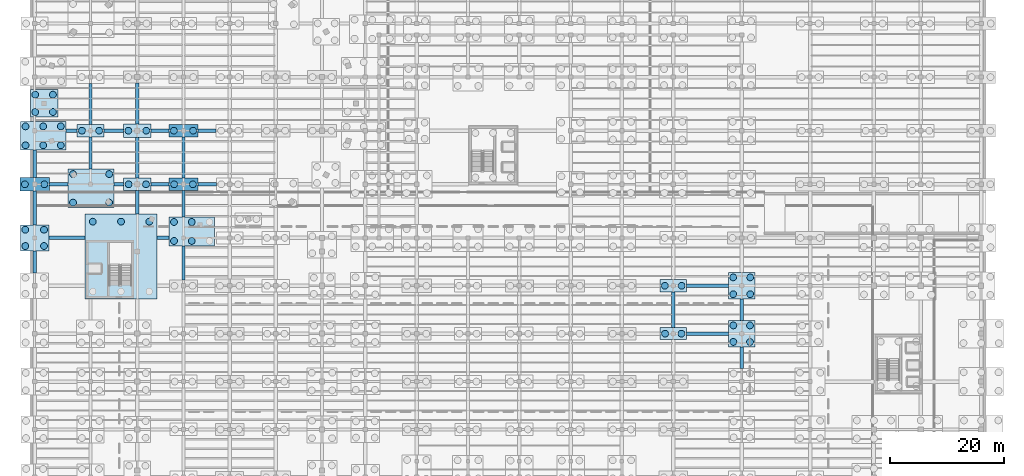
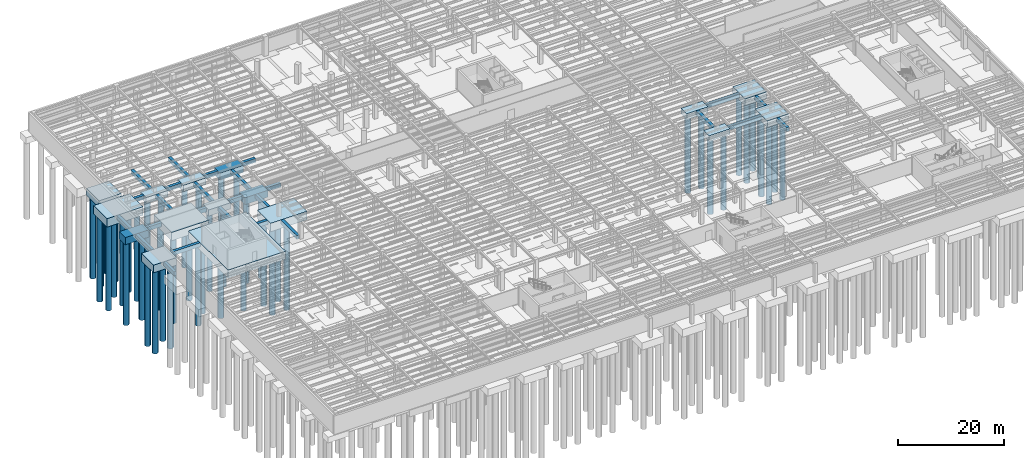
# One storey, part 8 of 49: 49 piles, 42 footings.
"""IFC4 building model written with IfcOpenShell, lengths in metres."""

from ifc_helpers import new_model, si_unit, direction, frame, origin, origin_2d, place, context, subcontext, project, spatial, rectangle, circle, extrude, material, material_profile, profile_set, type_object, element, save


model = new_model("IFC4")

# Units and contexts
model_context = context("Model", 3, precision=1e-05, world=origin(), true_north=direction((0.0, 1.0)))
body_context = subcontext(model_context, "Body", "Model", "MODEL_VIEW")
ifc_project = project(units=[si_unit("LENGTHUNIT", "METRE"), si_unit("AREAUNIT", "SQUARE_METRE"), si_unit("VOLUMEUNIT", "CUBIC_METRE"), si_unit("PLANEANGLEUNIT", "RADIAN"), si_unit("MASSUNIT", "GRAM", prefix="KILO")], contexts=[model_context])

# Site, building, storey
site_placement = place(None, origin())
site = spatial("IfcSite", under=ifc_project, at=site_placement, CompositionType="ELEMENT")
building_placement = place(site_placement, origin())
building = spatial("IfcBuilding", under=site, at=building_placement, Name="Sollismere Congress Hotel", CompositionType="ELEMENT")
storey_placement = place(building_placement, frame((0.0, 0.0, -4.5)))
storey = spatial("IfcBuildingStorey", under=building, at=storey_placement, Name="B1", CompositionType="ELEMENT", Elevation=-4.5)

# Footings
ifc_material = material(Name="Concrete C40/50", Category="concrete")
footing_type_1 = type_object("IfcFootingType", Name="FT-GB600", PredefinedType="FOOTING_BEAM", material=ifc_material)
footing_1_placement = place(storey_placement, frame((117.989990234375, 50.0, -0.89990234375), z_axis=(0.0, 0.0, 1.0), x_axis=(1.0, 0.0, 0.0)))
element("IfcFooting", 1, at=footing_1_placement, inside=storey, type_object=footing_type_1, Name="FTG-GB-096", PredefinedType="FOOTING_BEAM", context=body_context, shape_type="SweptSolid", body=[
    extrude(rectangle(XDim=7.3798828125, YDim=0.60009765625, at=origin_2d()), origin(), (0.0, 0.0, 1.0), 0.89990234375),
])
footing_2_placement = place(storey_placement, frame((117.989990234375, 58.39990234375, -0.89990234375), z_axis=(0.0, 0.0, 1.0), x_axis=(1.0, 0.0, 0.0)))
element("IfcFooting", 2, at=footing_2_placement, inside=storey, type_object=footing_type_1, Name="FTG-GB-110", PredefinedType="FOOTING_BEAM", context=body_context, shape_type="SweptSolid", body=[
    extrude(rectangle(XDim=7.320068359375, YDim=0.60009765625, at=origin_2d()), origin(), (0.0, 0.0, 1.0), 0.89990234375),
])
footing_3_placement = place(storey_placement, frame((5.675048828125, 66.800048828125, -0.89990234375), z_axis=(0.0, 0.0, 1.0), x_axis=(1.0, 0.0, 0.0)))
element("IfcFooting", 3, at=footing_3_placement, inside=storey, type_object=footing_type_1, Name="FTG-GB-115", PredefinedType="FOOTING_BEAM", context=body_context, shape_type="SweptSolid", body=[
    extrude(rectangle(XDim=6.35009765625, YDim=0.60009765625, at=origin_2d()), origin(), (0.0, 0.0, 1.0), 0.89990234375),
])
footing_4_placement = place(storey_placement, frame((22.51904296875, 66.800048828125, -0.89990234375), z_axis=(0.0, 0.0, 1.0), x_axis=(1.0, 0.0, 0.0)))
element("IfcFooting", 4, at=footing_4_placement, inside=storey, type_object=footing_type_1, Name="FTG-GB-116", PredefinedType="FOOTING_BEAM", context=body_context, shape_type="SweptSolid", body=[
    extrude(rectangle(XDim=2.141845703125, YDim=0.60009765625, at=origin_2d()), origin(), (0.0, 0.0, 1.0), 0.89990234375),
])
footing_5_placement = place(storey_placement, frame((4.2216796875, 76.199951171875, -0.89990234375), z_axis=(0.0, 0.0, 1.0), x_axis=(1.0, 0.0, 0.0)))
element("IfcFooting", 5, at=footing_5_placement, inside=storey, type_object=footing_type_1, Name="FTG-GB-131", PredefinedType="FOOTING_BEAM", context=body_context, shape_type="SweptSolid", body=[
    extrude(rectangle(XDim=3.30322265625, YDim=0.60009765625, at=origin_2d()), origin(), (0.0, 0.0, 1.0), 0.89990234375),
])
footing_6_placement = place(storey_placement, frame((14.76708984375, 76.199951171875, -0.89990234375), z_axis=(0.0, 0.0, 1.0), x_axis=(1.0, 0.0, 0.0)))
element("IfcFooting", 6, at=footing_6_placement, inside=storey, type_object=footing_type_1, Name="FTG-GB-132", PredefinedType="FOOTING_BEAM", context=body_context, shape_type="SweptSolid", body=[
    extrude(rectangle(XDim=1.685791015625, YDim=0.60009765625, at=origin_2d()), origin(), (0.0, 0.0, 1.0), 0.89990234375),
])
footing_7_placement = place(storey_placement, frame((21.989990234375, 76.199951171875, -0.89990234375), z_axis=(0.0, 0.0, 1.0), x_axis=(1.0, 0.0, 0.0)))
element("IfcFooting", 7, at=footing_7_placement, inside=storey, type_object=footing_type_1, Name="FTG-GB-133", PredefinedType="FOOTING_BEAM", context=body_context, shape_type="SweptSolid", body=[
    extrude(rectangle(XDim=3.199951171875, YDim=0.60009765625, at=origin_2d()), origin(), (0.0, 0.0, 1.0), 0.89990234375),
])
footing_8_placement = place(storey_placement, frame((30.239990234375, 76.199951171875, -0.89990234375), z_axis=(0.0, 0.0, 1.0), x_axis=(1.0, 0.0, 0.0)))
element("IfcFooting", 8, at=footing_8_placement, inside=storey, type_object=footing_type_1, Name="FTG-GB-134", PredefinedType="FOOTING_BEAM", context=body_context, shape_type="SweptSolid", body=[
    extrude(rectangle(XDim=3.260009765625, YDim=0.60009765625, at=origin_2d()), origin(), (0.0, 0.0, 1.0), 0.89990234375),
])
footing_9_placement = place(storey_placement, frame((6.447265625, 85.60009765625, -0.89990234375), z_axis=(0.0, 0.0, 1.0), x_axis=(1.0, 0.0, 0.0)))
element("IfcFooting", 9, at=footing_9_placement, inside=storey, type_object=footing_type_1, Name="FTG-GB-148", PredefinedType="FOOTING_BEAM", context=body_context, shape_type="SweptSolid", body=[
    extrude(rectangle(XDim=1.985595703125, YDim=0.60009765625, at=origin_2d()), origin(), (0.0, 0.0, 1.0), 0.89990234375),
])
footing_10_placement = place(storey_placement, frame((13.8701171875, 85.60009765625, -0.89990234375), z_axis=(0.0, 0.0, 1.0), x_axis=(1.0, 0.0, 0.0)))
element("IfcFooting", 10, at=footing_10_placement, inside=storey, type_object=footing_type_1, Name="FTG-GB-149", PredefinedType="FOOTING_BEAM", context=body_context, shape_type="SweptSolid", body=[
    extrude(rectangle(XDim=3.419921875, YDim=0.60009765625, at=origin_2d()), origin(), (0.0, 0.0, 1.0), 0.89990234375),
])
footing_11_placement = place(storey_placement, frame((21.989990234375, 85.60009765625, -0.89990234375), z_axis=(0.0, 0.0, 1.0), x_axis=(1.0, 0.0, 0.0)))
element("IfcFooting", 11, at=footing_11_placement, inside=storey, type_object=footing_type_1, Name="FTG-GB-150", PredefinedType="FOOTING_BEAM", context=body_context, shape_type="SweptSolid", body=[
    extrude(rectangle(XDim=3.139892578125, YDim=0.60009765625, at=origin_2d()), origin(), (0.0, 0.0, 1.0), 0.89990234375),
])
footing_12_placement = place(storey_placement, frame((30.239990234375, 85.60009765625, -0.89990234375), z_axis=(0.0, 0.0, 1.0), x_axis=(1.0, 0.0, 0.0)))
element("IfcFooting", 12, at=footing_12_placement, inside=storey, type_object=footing_type_1, Name="FTG-GB-151", PredefinedType="FOOTING_BEAM", context=body_context, shape_type="SweptSolid", body=[
    extrude(rectangle(XDim=3.199951171875, YDim=0.60009765625, at=origin_2d()), origin(), (0.0, 0.0, 1.0), 0.89990234375),
])
footing_13_placement = place(storey_placement, frame((0.0, 62.58740234375, -0.89990234375), z_axis=(0.0, 0.0, 1.0), x_axis=(0.0, 1.0, 0.0)))
element("IfcFooting", 13, at=footing_13_placement, inside=storey, type_object=footing_type_1, Name="FTG-GB-223", PredefinedType="FOOTING_BEAM", context=body_context, shape_type="SweptSolid", body=[
    extrude(rectangle(XDim=3.85498046875, YDim=0.60009765625, at=origin_2d()), origin(), (0.0, 0.0, 1.0), 0.89990234375),
])
footing_14_placement = place(storey_placement, frame((0.0, 72.0673828125, -0.89990234375), z_axis=(0.0, 0.0, 1.0), x_axis=(0.0, 1.0, 0.0)))
element("IfcFooting", 14, at=footing_14_placement, inside=storey, type_object=footing_type_1, Name="FTG-GB-224", PredefinedType="FOOTING_BEAM", context=body_context, shape_type="SweptSolid", body=[
    extrude(rectangle(XDim=5.965087890625, YDim=0.60009765625, at=origin_2d()), origin(), (0.0, 0.0, 1.0), 0.89990234375),
])
footing_15_placement = place(storey_placement, frame((0.0, 79.765625, -0.89990234375), z_axis=(0.0, 0.0, 1.0), x_axis=(0.0, 1.0, 0.0)))
element("IfcFooting", 15, at=footing_15_placement, inside=storey, type_object=footing_type_1, Name="FTG-GB-225", PredefinedType="FOOTING_BEAM", context=body_context, shape_type="SweptSolid", body=[
    extrude(rectangle(XDim=4.831298828125, YDim=0.60009765625, at=origin_2d()), origin(), (0.0, 0.0, 1.0), 0.89990234375),
])
footing_16_placement = place(storey_placement, frame((9.800048828125, 81.67529296875, -0.89990234375), z_axis=(0.0, 0.0, 1.0), x_axis=(0.0, 1.0, 0.0)))
element("IfcFooting", 16, at=footing_16_placement, inside=storey, type_object=footing_type_1, Name="FTG-GB-235", PredefinedType="FOOTING_BEAM", context=body_context, shape_type="SweptSolid", body=[
    extrude(rectangle(XDim=5.6494140625, YDim=0.60009765625, at=origin_2d()), origin(), (0.0, 0.0, 1.0), 0.89990234375),
])
footing_17_placement = place(storey_placement, frame((9.800048828125, 90.28759765625, -0.89990234375), z_axis=(0.0, 0.0, 1.0), x_axis=(0.0, 1.0, 0.0)))
element("IfcFooting", 17, at=footing_17_placement, inside=storey, type_object=footing_type_1, Name="FTG-GB-236", PredefinedType="FOOTING_BEAM", context=body_context, shape_type="SweptSolid", body=[
    extrude(rectangle(XDim=7.175048828125, YDim=0.60009765625, at=origin_2d()), origin(), (0.0, 0.0, 1.0), 0.89990234375),
])
footing_18_placement = place(storey_placement, frame((18.0, 73.034912109375, -0.89990234375), z_axis=(0.0, 0.0, 1.0), x_axis=(0.0, 1.0, 0.0)))
element("IfcFooting", 18, at=footing_18_placement, inside=storey, type_object=footing_type_1, Name="FTG-GB-246", PredefinedType="FOOTING_BEAM", context=body_context, shape_type="SweptSolid", body=[
    extrude(rectangle(XDim=4.080078125, YDim=0.60009765625, at=origin_2d()), origin(), (0.0, 0.0, 1.0), 0.89990234375),
])
footing_19_placement = place(storey_placement, frame((18.0, 80.887451171875, -0.89990234375), z_axis=(0.0, 0.0, 1.0), x_axis=(0.0, 1.0, 0.0)))
element("IfcFooting", 19, at=footing_19_placement, inside=storey, type_object=footing_type_1, Name="FTG-GB-247", PredefinedType="FOOTING_BEAM", context=body_context, shape_type="SweptSolid", body=[
    extrude(rectangle(XDim=7.125, YDim=0.60009765625, at=origin_2d()), origin(), (0.0, 0.0, 1.0), 0.89990234375),
])
footing_20_placement = place(storey_placement, frame((18.0, 90.35009765625, -0.89990234375), z_axis=(0.0, 0.0, 1.0), x_axis=(0.0, 1.0, 0.0)))
element("IfcFooting", 20, at=footing_20_placement, inside=storey, type_object=footing_type_1, Name="FTG-GB-248", PredefinedType="FOOTING_BEAM", context=body_context, shape_type="SweptSolid", body=[
    extrude(rectangle(XDim=7.199951171875, YDim=0.60009765625, at=origin_2d()), origin(), (0.0, 0.0, 1.0), 0.89990234375),
])
footing_21_placement = place(storey_placement, frame((26.10009765625, 62.427490234375, -0.89990234375), z_axis=(0.0, 0.0, 1.0), x_axis=(0.0, 1.0, 0.0)))
element("IfcFooting", 21, at=footing_21_placement, inside=storey, type_object=footing_type_1, Name="FTG-GB-258", PredefinedType="FOOTING_BEAM", context=body_context, shape_type="SweptSolid", body=[
    extrude(rectangle(XDim=5.955078125, YDim=0.60009765625, at=origin_2d()), origin(), (0.0, 0.0, 1.0), 0.89990234375),
])
footing_22_placement = place(storey_placement, frame((26.10009765625, 72.7724609375, -0.89990234375), z_axis=(0.0, 0.0, 1.0), x_axis=(0.0, 1.0, 0.0)))
element("IfcFooting", 22, at=footing_22_placement, inside=storey, type_object=footing_type_1, Name="FTG-GB-259", PredefinedType="FOOTING_BEAM", context=body_context, shape_type="SweptSolid", body=[
    extrude(rectangle(XDim=4.655029296875, YDim=0.60009765625, at=origin_2d()), origin(), (0.0, 0.0, 1.0), 0.89990234375),
])
footing_23_placement = place(storey_placement, frame((26.10009765625, 80.887451171875, -0.89990234375), z_axis=(0.0, 0.0, 1.0), x_axis=(0.0, 1.0, 0.0)))
element("IfcFooting", 23, at=footing_23_placement, inside=storey, type_object=footing_type_1, Name="FTG-GB-260", PredefinedType="FOOTING_BEAM", context=body_context, shape_type="SweptSolid", body=[
    extrude(rectangle(XDim=7.175048828125, YDim=0.60009765625, at=origin_2d()), origin(), (0.0, 0.0, 1.0), 0.89990234375),
])
footing_24_placement = place(storey_placement, frame((112.0, 54.1875, -0.89990234375), z_axis=(0.0, 0.0, 1.0), x_axis=(0.0, 1.0, 0.0)))
element("IfcFooting", 24, at=footing_24_placement, inside=storey, type_object=footing_type_1, Name="FTG-GB-376", PredefinedType="FOOTING_BEAM", context=body_context, shape_type="SweptSolid", body=[
    extrude(rectangle(XDim=6.27490234375, YDim=0.60009765625, at=origin_2d()), origin(), (0.0, 0.0, 1.0), 0.89990234375),
])
footing_25_placement = place(storey_placement, frame((124.0, 45.78759765625, -0.89990234375), z_axis=(0.0, 0.0, 1.0), x_axis=(0.0, 1.0, 0.0)))
element("IfcFooting", 25, at=footing_25_placement, inside=storey, type_object=footing_type_1, Name="FTG-GB-388", PredefinedType="FOOTING_BEAM", context=body_context, shape_type="SweptSolid", body=[
    extrude(rectangle(XDim=3.804931640625, YDim=0.60009765625, at=origin_2d()), origin(), (0.0, 0.0, 1.0), 0.89990234375),
])
footing_26_placement = place(storey_placement, frame((124.0, 54.1875, -0.89990234375), z_axis=(0.0, 0.0, 1.0), x_axis=(0.0, 1.0, 0.0)))
element("IfcFooting", 26, at=footing_26_placement, inside=storey, type_object=footing_type_1, Name="FTG-GB-389", PredefinedType="FOOTING_BEAM", context=body_context, shape_type="SweptSolid", body=[
    extrude(rectangle(XDim=3.7548828125, YDim=0.60009765625, at=origin_2d()), origin(), (0.0, 0.0, 1.0), 0.89990234375),
])
footing_type_2 = type_object("IfcFootingType", Name="FT-MAT-K5", PredefinedType="PILE_CAP", material=ifc_material)
footing_27_placement = place(storey_placement, frame((15.149169921875, 63.5224609375, -1.7998046875), z_axis=(0.0, 0.0, 1.0), x_axis=(1.0, 0.0, 0.0)))
element("IfcFooting", 27, at=footing_27_placement, inside=storey, type_object=footing_type_2, Name="Core pile cap mat PCM-K5", PredefinedType="PILE_CAP", context=body_context, shape_type="SweptSolid", body=[
    extrude(rectangle(XDim=12.597900390625, YDim=14.945068359375, at=origin_2d()), origin(), (0.0, 0.0, 1.0), 1.800048828125),
])
footing_type_3 = type_object("IfcFootingType", Name="FT-PC2-01", PredefinedType="PILE_CAP", material=ifc_material)
footing_28_placement = place(storey_placement, frame((112.0, 50.0, -1.2998046875), z_axis=(0.0, 0.0, 1.0), x_axis=(1.0, 0.0, 0.0)))
element("IfcFooting", 28, at=footing_28_placement, inside=storey, type_object=footing_type_3, Name="Reinforced concrete pile cap PC-171", PredefinedType="PILE_CAP", context=body_context, shape_type="SweptSolid", body=[
    extrude(rectangle(XDim=4.60009765625, YDim=2.10009765625, at=origin_2d()), origin(), (0.0, 0.0, 1.0), 1.300048828125),
])
footing_type_4 = type_object("IfcFootingType", Name="FT-PC2-02", PredefinedType="PILE_CAP", material=ifc_material)
footing_29_placement = place(storey_placement, frame((112.0, 58.39990234375, -1.33984375), z_axis=(0.0, 0.0, 1.0), x_axis=(1.0, 0.0, 0.0)))
element("IfcFooting", 29, at=footing_29_placement, inside=storey, type_object=footing_type_4, Name="Reinforced concrete pile cap PC-172", PredefinedType="PILE_CAP", context=body_context, shape_type="SweptSolid", body=[
    extrude(rectangle(XDim=4.659912109375, YDim=2.14990234375, at=origin_2d()), origin(), (0.0, 0.0, 1.0), 1.340087890625),
])
footing_type_5 = type_object("IfcFootingType", Name="FT-PC2-03", PredefinedType="PILE_CAP", material=ifc_material)
footing_30_placement = place(storey_placement, frame((9.800048828125, 85.60009765625, -1.3798828125), z_axis=(0.0, 0.0, 1.0), x_axis=(1.0, 0.0, 0.0)))
element("IfcFooting", 30, at=footing_30_placement, inside=storey, type_object=footing_type_5, Name="Reinforced concrete pile cap PC-023", PredefinedType="PILE_CAP", context=body_context, shape_type="SweptSolid", body=[
    extrude(rectangle(XDim=4.719970703125, YDim=2.199951171875, at=origin_2d()), origin(), (0.0, 0.0, 1.0), 1.3798828125),
])
footing_type_6 = type_object("IfcFootingType", Name="FT-PC2-04", PredefinedType="PILE_CAP", material=ifc_material)
footing_31_placement = place(storey_placement, frame((18.0, 76.199951171875, -1.419921875), z_axis=(0.0, 0.0, 1.0), x_axis=(1.0, 0.0, 0.0)))
element("IfcFooting", 31, at=footing_31_placement, inside=storey, type_object=footing_type_6, Name="Reinforced concrete pile cap PC-034", PredefinedType="PILE_CAP", context=body_context, shape_type="SweptSolid", body=[
    extrude(rectangle(XDim=4.780029296875, YDim=2.25, at=origin_2d()), origin(), (0.0, 0.0, 1.0), 1.419921875),
])
footing_type_7 = type_object("IfcFootingType", Name="FT-PC2-05", PredefinedType="PILE_CAP", material=ifc_material)
footing_32_placement = place(storey_placement, frame((18.0, 85.60009765625, -1.4599609375), z_axis=(0.0, 0.0, 1.0), x_axis=(1.0, 0.0, 0.0)))
element("IfcFooting", 32, at=footing_32_placement, inside=storey, type_object=footing_type_7, Name="Reinforced concrete pile cap PC-035", PredefinedType="PILE_CAP", context=body_context, shape_type="SweptSolid", body=[
    extrude(rectangle(XDim=4.840087890625, YDim=2.300048828125, at=origin_2d()), origin(), (0.0, 0.0, 1.0), 1.4599609375),
])
footing_type_8 = type_object("IfcFootingType", Name="FT-PC2-08", PredefinedType="PILE_CAP", material=ifc_material)
footing_33_placement = place(storey_placement, frame((26.10009765625, 76.199951171875, -1.580078125), z_axis=(0.0, 0.0, 1.0), x_axis=(1.0, 0.0, 0.0)))
element("IfcFooting", 33, at=footing_33_placement, inside=storey, type_object=footing_type_8, Name="Reinforced concrete pile cap PC-048", PredefinedType="PILE_CAP", context=body_context, shape_type="SweptSolid", body=[
    extrude(rectangle(XDim=5.02001953125, YDim=2.199951171875, at=origin_2d()), origin(), (0.0, 0.0, 1.0), 1.580078125),
])
footing_type_9 = type_object("IfcFootingType", Name="FT-PC2-09", PredefinedType="PILE_CAP", material=ifc_material)
footing_34_placement = place(storey_placement, frame((26.10009765625, 85.60009765625, -1.6201171875), z_axis=(0.0, 0.0, 1.0), x_axis=(1.0, 0.0, 0.0)))
element("IfcFooting", 34, at=footing_34_placement, inside=storey, type_object=footing_type_9, Name="Reinforced concrete pile cap PC-049", PredefinedType="PILE_CAP", context=body_context, shape_type="SweptSolid", body=[
    extrude(rectangle(XDim=5.080078125, YDim=2.25, at=origin_2d()), origin(), (0.0, 0.0, 1.0), 1.6201171875),
])
footing_type_10 = type_object("IfcFootingType", Name="FT-PC2-10", PredefinedType="PILE_CAP", material=ifc_material)
footing_35_placement = place(storey_placement, frame((0.0, 76.199951171875, -1.66015625), z_axis=(0.0, 0.0, 1.0), x_axis=(1.0, 0.0, 0.0)))
element("IfcFooting", 35, at=footing_35_placement, inside=storey, type_object=footing_type_10, Name="Reinforced concrete pile cap PC-010", PredefinedType="PILE_CAP", context=body_context, shape_type="SweptSolid", body=[
    extrude(rectangle(XDim=5.139892578125, YDim=2.300048828125, at=origin_2d()), origin(), (0.0, 0.0, 1.0), 1.659912109375),
])
footing_type_11 = type_object("IfcFootingType", Name="FT-PC4-03", PredefinedType="PILE_CAP", material=ifc_material)
footing_36_placement = place(storey_placement, frame((124.0, 50.0, -1.52978515625), z_axis=(0.0, 0.0, 1.0), x_axis=(1.0, 0.0, 0.0)))
element("IfcFooting", 36, at=footing_36_placement, inside=storey, type_object=footing_type_11, Name="Reinforced concrete pile cap PC-185", PredefinedType="PILE_CAP", context=body_context, shape_type="SweptSolid", body=[
    extrude(rectangle(XDim=4.639892578125, YDim=4.6201171875, at=origin_2d()), origin(), (0.0, 0.0, 1.0), 1.530029296875),
])
footing_type_12 = type_object("IfcFootingType", Name="FT-PC4-04", PredefinedType="PILE_CAP", material=ifc_material)
footing_37_placement = place(storey_placement, frame((124.0, 58.39990234375, -1.56982421875), z_axis=(0.0, 0.0, 1.0), x_axis=(1.0, 0.0, 0.0)))
element("IfcFooting", 37, at=footing_37_placement, inside=storey, type_object=footing_type_12, Name="Reinforced concrete pile cap PC-186", PredefinedType="PILE_CAP", context=body_context, shape_type="SweptSolid", body=[
    extrude(rectangle(XDim=4.699951171875, YDim=4.669921875, at=origin_2d()), origin(), (0.0, 0.0, 1.0), 1.570068359375),
])
footing_type_13 = type_object("IfcFootingType", Name="FT-PC4-06", PredefinedType="PILE_CAP", material=ifc_material)
footing_38_placement = place(storey_placement, frame((1.64990234375, 90.39990234375, -1.64990234375), z_axis=(0.0, 0.0, 1.0), x_axis=(1.0, 0.0, 0.0)))
element("IfcFooting", 38, at=footing_38_placement, inside=storey, type_object=footing_type_13, Name="Reinforced concrete pile cap PC-244", PredefinedType="PILE_CAP", context=body_context, shape_type="SweptSolid", body=[
    extrude(rectangle(XDim=4.820068359375, YDim=4.77001953125, at=origin_2d()), origin(), (0.0, 0.0, 1.0), 1.64990234375),
])
footing_type_14 = type_object("IfcFootingType", Name="FT-PC4-09", PredefinedType="PILE_CAP", material=ifc_material)
footing_39_placement = place(storey_placement, frame((0.0, 66.800048828125, -1.77001953125), z_axis=(0.0, 0.0, 1.0), x_axis=(1.0, 0.0, 0.0)))
element("IfcFooting", 39, at=footing_39_placement, inside=storey, type_object=footing_type_14, Name="Reinforced concrete pile cap PC-009", PredefinedType="PILE_CAP", context=body_context, shape_type="SweptSolid", body=[
    extrude(rectangle(XDim=5.0, YDim=4.570068359375, at=origin_2d()), origin(), (0.0, 0.0, 1.0), 1.77001953125),
])
footing_type_15 = type_object("IfcFootingType", Name="FT-PC6-05", PredefinedType="PILE_CAP", material=ifc_material)
for number, where, z_axis, x_axis, name in (
    (40, (1.494384765625, 84.701171875, -1.9501953125), (0.0, 0.0, 1.0), (1.0, 0.0, 0.0), "Reinforced concrete pile cap PC-011"),
    (41, (27.550048828125, 67.925048828125, -1.9501953125), (0.0, 0.0, 1.0), (1.0, 0.0, 0.0), "Reinforced concrete pile cap PC-047"),
):
    element("IfcFooting", number, at=place(storey_placement, frame(where, z_axis=z_axis, x_axis=x_axis)), inside=storey, type_object=footing_type_15, Name=name, PredefinedType="PILE_CAP", context=body_context, shape_type="SweptSolid", body=[
        extrude(rectangle(XDim=7.919921875, YDim=5.0400390625, at=origin_2d()), origin(), (0.0, 0.0, 1.0), 1.949951171875),
    ])
footing_type_16 = type_object("IfcFootingType", Name="FT-PCM-22", PredefinedType="PILE_CAP", material=ifc_material)
footing_40_placement = place(storey_placement, frame((9.898681640625, 75.489013671875, -1.89990234375), z_axis=(0.0, 0.0, 1.0), x_axis=(1.0, 0.0, 0.0)))
element("IfcFooting", 42, at=footing_40_placement, inside=storey, type_object=footing_type_16, Name="Reinforced concrete pile cap PC-022", PredefinedType="PILE_CAP", context=body_context, shape_type="SweptSolid", body=[
    extrude(rectangle(XDim=8.051025390625, YDim=6.722900390625, at=origin_2d()), origin(), (0.0, 0.0, 1.0), 1.89990234375),
])

# Piles
ifc_material_profile = material_profile(ifc_material, circle(Radius=0.60009765625, at=origin_2d()), Name="CAISSON1200")
ifc_profile_set = profile_set([ifc_material_profile], Name="Concrete C40/50")
pile_type = type_object("IfcPileType", Name="PL-CS1200", PredefinedType="BORED", material=ifc_profile_set)
for number, where, z_axis, x_axis, name in (
    (43, (-1.639892578125, 65.375, -1.669921875), (0.0, 0.0, -1.0), (1.0, 0.0, 0.0), "Bored rock-socketed caisson PL-027"),
    (44, (1.639892578125, 65.375, -1.669921875), (0.0, 0.0, -1.0), (1.0, 0.0, 0.0), "Bored rock-socketed caisson PL-028"),
    (45, (-1.639892578125, 68.22509765625, -1.669921875), (0.0, 0.0, -1.0), (1.0, 0.0, 0.0), "Bored rock-socketed caisson PL-029"),
    (46, (1.639892578125, 68.22509765625, -1.669921875), (0.0, 0.0, -1.0), (1.0, 0.0, 0.0), "Bored rock-socketed caisson PL-030"),
):
    element("IfcPile", number, at=place(storey_placement, frame(where, z_axis=z_axis, x_axis=x_axis)), inside=storey, type_object=pile_type, Name=name, PredefinedType="BORED", context=body_context, shape_type="SweptSolid", body=[
        extrude(circle(Radius=0.60009765625, at=origin_2d()), origin(), (0.0, 0.0, 1.0), 19.199951171875),
    ])
for number, where, z_axis, x_axis, name in (
    (47, (-1.7099609375, 76.199951171875, -1.56005859375), (0.0, 0.0, -1.0), (1.0, 0.0, 0.0), "Bored rock-socketed caisson PL-031"),
    (48, (1.7099609375, 76.199951171875, -1.56005859375), (0.0, 0.0, -1.0), (1.0, 0.0, 0.0), "Bored rock-socketed caisson PL-032"),
):
    element("IfcPile", number, at=place(storey_placement, frame(where, z_axis=z_axis, x_axis=x_axis)), inside=storey, type_object=pile_type, Name=name, PredefinedType="BORED", context=body_context, shape_type="SweptSolid", body=[
        extrude(circle(Radius=0.60009765625, at=origin_2d()), origin(), (0.0, 0.0, 1.0), 19.300048828125),
    ])
for number, where, z_axis, x_axis, name in (
    (49, (-1.605712890625, 83.041259765625, -1.85009765625), (0.0, 0.0, -1.0), (1.0, 0.0, 0.0), "Bored rock-socketed caisson PL-033"),
    (50, (1.494384765625, 83.041259765625, -1.85009765625), (0.0, 0.0, -1.0), (1.0, 0.0, 0.0), "Bored rock-socketed caisson PL-034"),
    (51, (4.59423828125, 83.041259765625, -1.85009765625), (0.0, 0.0, -1.0), (1.0, 0.0, 0.0), "Bored rock-socketed caisson PL-035"),
    (52, (-1.605712890625, 86.361083984375, -1.85009765625), (0.0, 0.0, -1.0), (1.0, 0.0, 0.0), "Bored rock-socketed caisson PL-036"),
    (53, (1.494384765625, 86.361083984375, -1.85009765625), (0.0, 0.0, -1.0), (1.0, 0.0, 0.0), "Bored rock-socketed caisson PL-037"),
    (54, (4.59423828125, 86.361083984375, -1.85009765625), (0.0, 0.0, -1.0), (1.0, 0.0, 0.0), "Bored rock-socketed caisson PL-038"),
):
    element("IfcPile", number, at=place(storey_placement, frame(where, z_axis=z_axis, x_axis=x_axis)), inside=storey, type_object=pile_type, Name=name, PredefinedType="BORED", context=body_context, shape_type="SweptSolid", body=[
        extrude(circle(Radius=0.60009765625, at=origin_2d()), origin(), (0.0, 0.0, 1.0), 19.800048828125),
    ])
for number, where, z_axis, x_axis, name in (
    (55, (6.732666015625, 72.987060546875, -1.800048828125), (0.0, 0.0, -1.0), (1.0, 0.0, 0.0), "Bored rock-socketed caisson PL-071"),
    (56, (13.064697265625, 72.987060546875, -1.800048828125), (0.0, 0.0, -1.0), (1.0, 0.0, 0.0), "Bored rock-socketed caisson PL-072"),
    (57, (6.732666015625, 77.9912109375, -1.800048828125), (0.0, 0.0, -1.0), (1.0, 0.0, 0.0), "Bored rock-socketed caisson PL-073"),
    (58, (13.064697265625, 77.9912109375, -1.800048828125), (0.0, 0.0, -1.0), (1.0, 0.0, 0.0), "Bored rock-socketed caisson PL-074"),
):
    element("IfcPile", number, at=place(storey_placement, frame(where, z_axis=z_axis, x_axis=x_axis)), inside=storey, type_object=pile_type, Name=name, PredefinedType="BORED", context=body_context, shape_type="SweptSolid", body=[
        extrude(circle(Radius=0.60009765625, at=origin_2d()), origin(), (0.0, 0.0, 1.0), 19.64990234375),
    ])
for number, where, z_axis, x_axis, name in (
    (59, (8.300048828125, 85.60009765625, -1.280029296875), (0.0, 0.0, -1.0), (1.0, 0.0, 0.0), "Bored rock-socketed caisson PL-075"),
    (60, (11.300048828125, 85.60009765625, -1.280029296875), (0.0, 0.0, -1.0), (1.0, 0.0, 0.0), "Bored rock-socketed caisson PL-076"),
):
    element("IfcPile", number, at=place(storey_placement, frame(where, z_axis=z_axis, x_axis=x_axis)), inside=storey, type_object=pile_type, Name=name, PredefinedType="BORED", context=body_context, shape_type="SweptSolid", body=[
        extrude(circle(Radius=0.60009765625, at=origin_2d()), origin(), (0.0, 0.0, 1.0), 17.89990234375),
    ])
for number, where, z_axis, x_axis, name in (
    (61, (16.469970703125, 76.199951171875, -1.320068359375), (0.0, 0.0, -1.0), (1.0, 0.0, 0.0), "Bored rock-socketed caisson PL-107"),
    (62, (19.530029296875, 76.199951171875, -1.320068359375), (0.0, 0.0, -1.0), (1.0, 0.0, 0.0), "Bored rock-socketed caisson PL-108"),
):
    element("IfcPile", number, at=place(storey_placement, frame(where, z_axis=z_axis, x_axis=x_axis)), inside=storey, type_object=pile_type, Name=name, PredefinedType="BORED", context=body_context, shape_type="SweptSolid", body=[
        extrude(circle(Radius=0.60009765625, at=origin_2d()), origin(), (0.0, 0.0, 1.0), 18.10009765625),
    ])
for number, where, z_axis, x_axis, name in (
    (63, (16.43994140625, 85.60009765625, -1.360107421875), (0.0, 0.0, -1.0), (1.0, 0.0, 0.0), "Bored rock-socketed caisson PL-109"),
    (64, (19.56005859375, 85.60009765625, -1.360107421875), (0.0, 0.0, -1.0), (1.0, 0.0, 0.0), "Bored rock-socketed caisson PL-110"),
):
    element("IfcPile", number, at=place(storey_placement, frame(where, z_axis=z_axis, x_axis=x_axis)), inside=storey, type_object=pile_type, Name=name, PredefinedType="BORED", context=body_context, shape_type="SweptSolid", body=[
        extrude(circle(Radius=0.60009765625, at=origin_2d()), origin(), (0.0, 0.0, 1.0), 18.300048828125),
    ])
for number, where, z_axis, x_axis, name in (
    (65, (24.449951171875, 66.264892578125, -1.85009765625), (0.0, 0.0, -1.0), (1.0, 0.0, 0.0), "Bored rock-socketed caisson PL-135"),
    (66, (27.550048828125, 66.264892578125, -1.85009765625), (0.0, 0.0, -1.0), (1.0, 0.0, 0.0), "Bored rock-socketed caisson PL-136"),
    (67, (24.449951171875, 69.5849609375, -1.85009765625), (0.0, 0.0, -1.0), (1.0, 0.0, 0.0), "Bored rock-socketed caisson PL-138"),
    (68, (27.550048828125, 69.5849609375, -1.85009765625), (0.0, 0.0, -1.0), (1.0, 0.0, 0.0), "Bored rock-socketed caisson PL-139"),
):
    element("IfcPile", number, at=place(storey_placement, frame(where, z_axis=z_axis, x_axis=x_axis)), inside=storey, type_object=pile_type, Name=name, PredefinedType="BORED", context=body_context, shape_type="SweptSolid", body=[
        extrude(circle(Radius=0.60009765625, at=origin_2d()), origin(), (0.0, 0.0, 1.0), 19.800048828125),
    ])
for number, where, z_axis, x_axis, name in (
    (69, (24.449951171875, 76.199951171875, -1.47998046875), (0.0, 0.0, -1.0), (1.0, 0.0, 0.0), "Bored rock-socketed caisson PL-141"),
    (70, (27.75, 76.199951171875, -1.47998046875), (0.0, 0.0, -1.0), (1.0, 0.0, 0.0), "Bored rock-socketed caisson PL-142"),
):
    element("IfcPile", number, at=place(storey_placement, frame(where, z_axis=z_axis, x_axis=x_axis)), inside=storey, type_object=pile_type, Name=name, PredefinedType="BORED", context=body_context, shape_type="SweptSolid", body=[
        extrude(circle(Radius=0.60009765625, at=origin_2d()), origin(), (0.0, 0.0, 1.0), 18.89990234375),
    ])
for number, where, z_axis, x_axis, name in (
    (71, (24.419921875, 85.60009765625, -1.52001953125), (0.0, 0.0, -1.0), (1.0, 0.0, 0.0), "Bored rock-socketed caisson PL-143"),
    (72, (27.780029296875, 85.60009765625, -1.52001953125), (0.0, 0.0, -1.0), (1.0, 0.0, 0.0), "Bored rock-socketed caisson PL-144"),
):
    element("IfcPile", number, at=place(storey_placement, frame(where, z_axis=z_axis, x_axis=x_axis)), inside=storey, type_object=pile_type, Name=name, PredefinedType="BORED", context=body_context, shape_type="SweptSolid", body=[
        extrude(circle(Radius=0.60009765625, at=origin_2d()), origin(), (0.0, 0.0, 1.0), 19.10009765625),
    ])
for number, where, z_axis, x_axis, name in (
    (73, (110.56005859375, 50.0, -1.199951171875), (0.0, 0.0, -1.0), (1.0, 0.0, 0.0), "Bored rock-socketed caisson PL-541"),
    (74, (113.43994140625, 50.0, -1.199951171875), (0.0, 0.0, -1.0), (1.0, 0.0, 0.0), "Bored rock-socketed caisson PL-542"),
):
    element("IfcPile", number, at=place(storey_placement, frame(where, z_axis=z_axis, x_axis=x_axis)), inside=storey, type_object=pile_type, Name=name, PredefinedType="BORED", context=body_context, shape_type="SweptSolid", body=[
        extrude(circle(Radius=0.60009765625, at=origin_2d()), origin(), (0.0, 0.0, 1.0), 17.5),
    ])
for number, where, z_axis, x_axis, name in (
    (75, (110.530029296875, 58.39990234375, -1.239990234375), (0.0, 0.0, -1.0), (1.0, 0.0, 0.0), "Bored rock-socketed caisson PL-543"),
    (76, (113.469970703125, 58.39990234375, -1.239990234375), (0.0, 0.0, -1.0), (1.0, 0.0, 0.0), "Bored rock-socketed caisson PL-544"),
):
    element("IfcPile", number, at=place(storey_placement, frame(where, z_axis=z_axis, x_axis=x_axis)), inside=storey, type_object=pile_type, Name=name, PredefinedType="BORED", context=body_context, shape_type="SweptSolid", body=[
        extrude(circle(Radius=0.60009765625, at=origin_2d()), origin(), (0.0, 0.0, 1.0), 17.699951171875),
    ])
for number, where, z_axis, x_axis, name in (
    (77, (122.5400390625, 48.550048828125, -1.429931640625), (0.0, 0.0, -1.0), (1.0, 0.0, 0.0), "Bored rock-socketed caisson PL-593"),
    (78, (125.4599609375, 48.550048828125, -1.429931640625), (0.0, 0.0, -1.0), (1.0, 0.0, 0.0), "Bored rock-socketed caisson PL-594"),
    (79, (122.5400390625, 51.449951171875, -1.429931640625), (0.0, 0.0, -1.0), (1.0, 0.0, 0.0), "Bored rock-socketed caisson PL-595"),
    (80, (125.4599609375, 51.449951171875, -1.429931640625), (0.0, 0.0, -1.0), (1.0, 0.0, 0.0), "Bored rock-socketed caisson PL-596"),
):
    element("IfcPile", number, at=place(storey_placement, frame(where, z_axis=z_axis, x_axis=x_axis)), inside=storey, type_object=pile_type, Name=name, PredefinedType="BORED", context=body_context, shape_type="SweptSolid", body=[
        extrude(circle(Radius=0.60009765625, at=origin_2d()), origin(), (0.0, 0.0, 1.0), 18.300048828125),
    ])
for number, where, z_axis, x_axis, name in (
    (81, (122.510009765625, 56.925048828125, -1.469970703125), (0.0, 0.0, -1.0), (1.0, 0.0, 0.0), "Bored rock-socketed caisson PL-597"),
    (82, (125.489990234375, 56.925048828125, -1.469970703125), (0.0, 0.0, -1.0), (1.0, 0.0, 0.0), "Bored rock-socketed caisson PL-598"),
    (83, (122.510009765625, 59.875, -1.469970703125), (0.0, 0.0, -1.0), (1.0, 0.0, 0.0), "Bored rock-socketed caisson PL-599"),
    (84, (125.489990234375, 59.875, -1.469970703125), (0.0, 0.0, -1.0), (1.0, 0.0, 0.0), "Bored rock-socketed caisson PL-600"),
):
    element("IfcPile", number, at=place(storey_placement, frame(where, z_axis=z_axis, x_axis=x_axis)), inside=storey, type_object=pile_type, Name=name, PredefinedType="BORED", context=body_context, shape_type="SweptSolid", body=[
        extrude(circle(Radius=0.60009765625, at=origin_2d()), origin(), (0.0, 0.0, 1.0), 18.449951171875),
    ])
for number, where, z_axis, x_axis, name in (
    (85, (0.10009765625, 88.875, -1.550048828125), (0.0, 0.0, -1.0), (1.0, 0.0, 0.0), "Bored rock-socketed caisson PL-803"),
    (86, (3.199951171875, 88.875, -1.550048828125), (0.0, 0.0, -1.0), (1.0, 0.0, 0.0), "Bored rock-socketed caisson PL-804"),
    (87, (0.10009765625, 91.925048828125, -1.550048828125), (0.0, 0.0, -1.0), (1.0, 0.0, 0.0), "Bored rock-socketed caisson PL-805"),
    (88, (3.199951171875, 91.925048828125, -1.550048828125), (0.0, 0.0, -1.0), (1.0, 0.0, 0.0), "Bored rock-socketed caisson PL-806"),
):
    element("IfcPile", number, at=place(storey_placement, frame(where, z_axis=z_axis, x_axis=x_axis)), inside=storey, type_object=pile_type, Name=name, PredefinedType="BORED", context=body_context, shape_type="SweptSolid", body=[
        extrude(circle(Radius=0.60009765625, at=origin_2d()), origin(), (0.0, 0.0, 1.0), 18.75),
    ])
for number, where, z_axis, x_axis, name in (
    (89, (10.2001953125, 69.6455078125, -1.699951171875), (0.0, 0.0, -1.0), (1.0, 0.0, 0.0), "Bored rock-socketed caisson PL-838"),
    (90, (15.149169921875, 69.6455078125, -1.699951171875), (0.0, 0.0, -1.0), (1.0, 0.0, 0.0), "Bored rock-socketed caisson PL-840"),
    (91, (20.09814453125, 69.6455078125, -1.699951171875), (0.0, 0.0, -1.0), (1.0, 0.0, 0.0), "Bored rock-socketed caisson PL-842"),
):
    element("IfcPile", number, at=place(storey_placement, frame(where, z_axis=z_axis, x_axis=x_axis)), inside=storey, type_object=pile_type, Name=name, PredefinedType="BORED", context=body_context, shape_type="SweptSolid", body=[
        extrude(circle(Radius=0.60009765625, at=origin_2d()), origin(), (0.0, 0.0, 1.0), 19.5),
    ])

save(model, "model.ifc")
